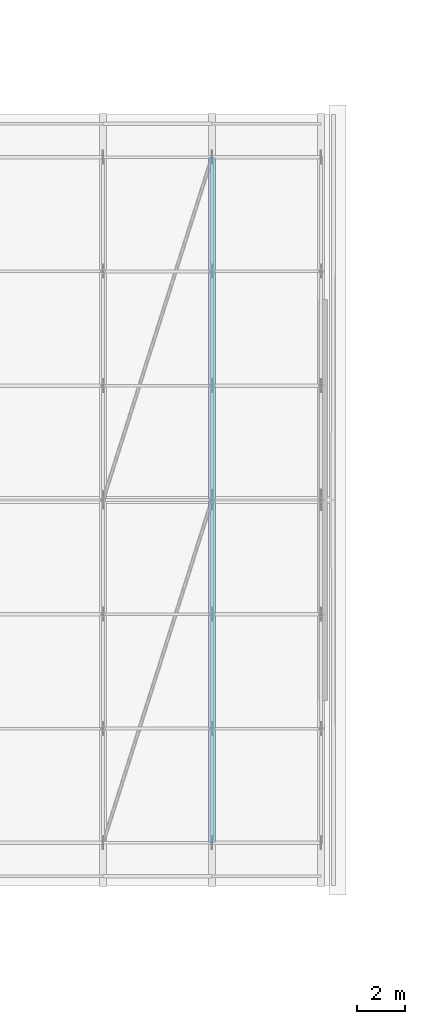
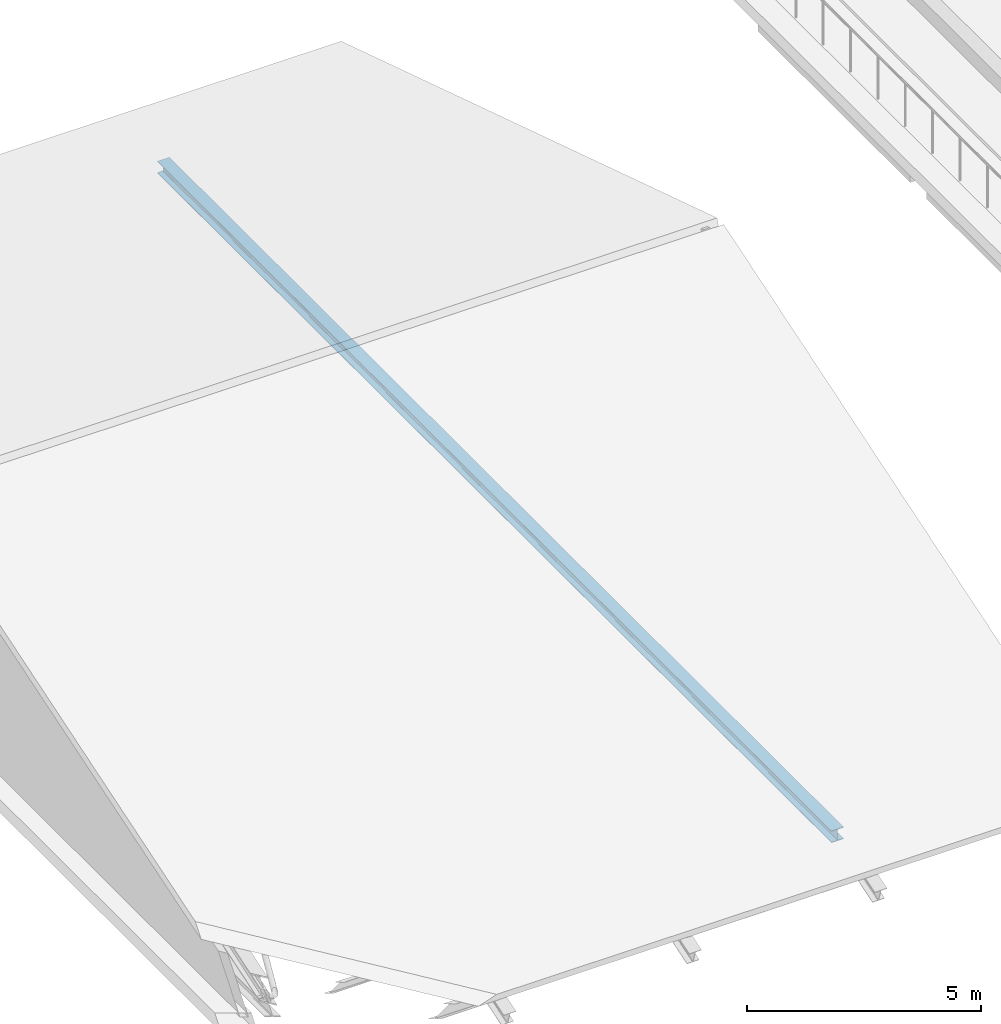
# One storey, part 28 of 134: 1 member.
"""IFC4 building model written with IfcOpenShell, lengths in metres."""

from ifc_helpers import new_model, si_unit, direction, frame, origin, origin_2d, place, context, subcontext, project, spatial, i_section, extrude, material, material_profile, profile_set, type_object, element, save


model = new_model("IFC4")

# Units and contexts
model_context = context("Model", 3, precision=1e-05, world=origin(), true_north=direction((0.0, 1.0)))
body_context = subcontext(model_context, "Body", "Model", "MODEL_VIEW")
ifc_project = project(units=[si_unit("LENGTHUNIT", "METRE"), si_unit("AREAUNIT", "SQUARE_METRE"), si_unit("VOLUMEUNIT", "CUBIC_METRE"), si_unit("PLANEANGLEUNIT", "RADIAN"), si_unit("MASSUNIT", "GRAM", prefix="KILO")], contexts=[model_context])

# Site, building, storey
site_placement = place(None, origin())
site = spatial("IfcSite", under=ifc_project, at=site_placement, CompositionType="ELEMENT")
building_placement = place(site_placement, origin())
building = spatial("IfcBuilding", under=site, at=building_placement, Name="Asteropetra Specialist Clinic", CompositionType="ELEMENT")
storey_placement = place(building_placement, frame((0.0, 0.0, 8.5)))
storey = spatial("IfcBuildingStorey", under=building, at=storey_placement, Name="L02", CompositionType="ELEMENT", Elevation=8.5)

# Member
ifc_material = material(Name="Steel S355", Category="steel")
ifc_material_profile = material_profile(ifc_material, i_section(OverallWidth=0.300048828125, OverallDepth=0.31005859375, WebThickness=0.009033203125, FlangeThickness=0.015380859375, FilletRadius=0.027099609375, at=origin_2d()), Name="HEA 320")
ifc_profile_set = profile_set([ifc_material_profile], Name="Steel S355")
member_type = type_object("IfcMemberType", Name="TR-CHD-HEA320", PredefinedType="CHORD", material=ifc_profile_set)
member_placement = place(storey_placement, frame((90.97509765625, 33.60009765625, 0.35498046875), z_axis=(0.0, 1.0, 0.0), x_axis=(-1.0, 0.0, 0.0)))
element("IfcMember", 1, at=member_placement, inside=storey, type_object=member_type, Name="Truss Bottom Chord TRV3-BC04", PredefinedType="CHORD", context=body_context, shape_type="SweptSolid", body=[
    extrude(i_section(OverallWidth=0.300048828125, OverallDepth=0.31005859375, WebThickness=0.009033203125, FlangeThickness=0.015380859375, FilletRadius=0.027099609375, at=origin_2d()), origin(), (0.0, 0.0, 1.0), 28.7998046875),
])

save(model, "model.ifc")
